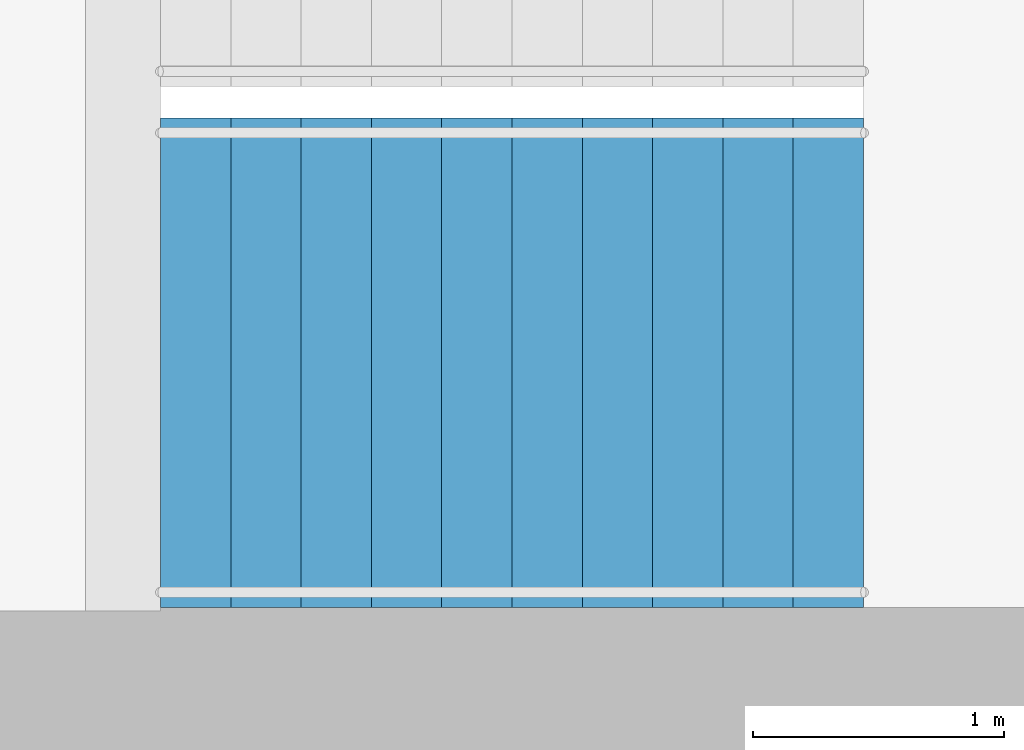
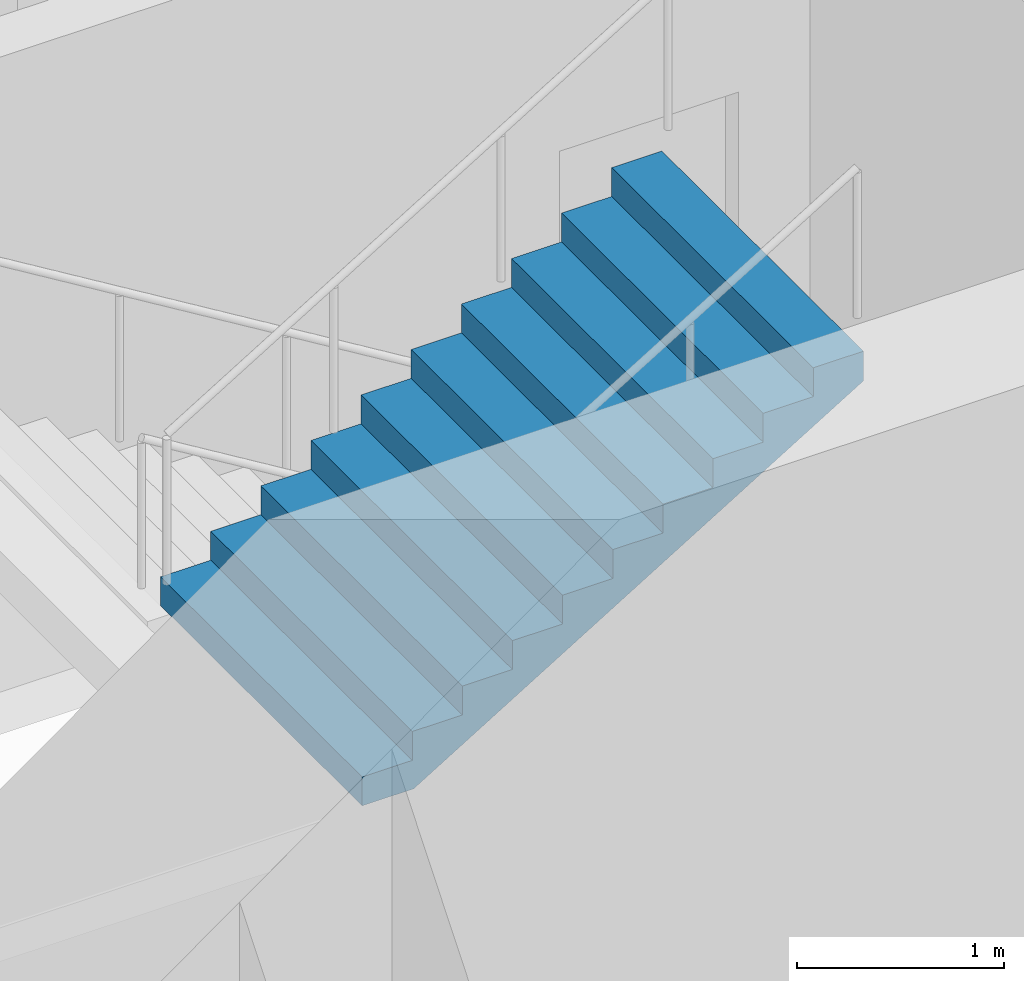
# One storey, part 20 of 22: 1 stair flight, 1 element without a shape of its own.
"""IFC4 building model written with IfcOpenShell, lengths in metres."""

from ifc_helpers import new_model, si_unit, direction, frame, origin, place, context, subcontext, project, spatial, triangles, material, type_object, element, aggregate, save


model = new_model("IFC4")

# Units and contexts
model_context = context("Model", 3, precision=1e-05, world=origin(), true_north=direction((0.0, 1.0)))
body_context = subcontext(model_context, "Body", "Model", "MODEL_VIEW")
ifc_project = project(units=[si_unit("LENGTHUNIT", "METRE"), si_unit("AREAUNIT", "SQUARE_METRE"), si_unit("VOLUMEUNIT", "CUBIC_METRE"), si_unit("PLANEANGLEUNIT", "RADIAN"), si_unit("MASSUNIT", "GRAM", prefix="KILO")], contexts=[model_context])

# Site, building, storey
site_placement = place(None, origin())
site = spatial("IfcSite", under=ifc_project, at=site_placement, CompositionType="ELEMENT")
building_placement = place(site_placement, origin())
building = spatial("IfcBuilding", under=site, at=building_placement, Name="Orbita Commons", CompositionType="ELEMENT")
storey_placement = place(building_placement, frame((0.0, 0.0, 189.85009765625)))
storey = spatial("IfcBuildingStorey", under=building, at=storey_placement, Name="L47", CompositionType="ELEMENT", Elevation=189.85009765625)

# Stair, stair flight
ifc_material_1 = material(Name="Precast concrete C40/50", Category="concrete")
stair_type = type_object("IfcStairType", Name="Exit stair S2 2 flights 11 risers 170", PredefinedType="HALF_TURN_STAIR", material=ifc_material_1)
stair_placement = place(storey_placement, origin())
stair = element("IfcStair", 1, at=stair_placement, inside=storey, type_object=stair_type, Name="Exit stair S2 L47", PredefinedType="HALF_TURN_STAIR")
ifc_material_2 = material(Name="Precast concrete C40/50", Category="concrete")
stair_flight_type = type_object("IfcStairFlightType", Name="Stair flight 11 risers 170 x 280", PredefinedType="STRAIGHT", material=ifc_material_2)
stair_flight_placement = place(storey_placement, frame((60.75, 27.199951171875, 1.875), z_axis=(0.0, 0.0, 1.0), x_axis=(1.0, 0.0, 0.0)))
stair_flight = element("IfcStairFlight", 2, at=stair_flight_placement, type_object=stair_flight_type, Name="S2 flight 2", NumberOfRisers=11, NumberOfTreads=10, PredefinedType="STRAIGHT", RiserHeight=0.170454545, TreadLength=0.28, context=body_context, shape_type="Tessellation", body=[
    triangles([(0.0, 0.974976, 0.0), (0.0, 0.974976, 0.021307), (0.0, 0.81248, 0.021307), (0.0, 0.81248, 0.0), (0.0, 0.649984, 0.021307), (0.0, 0.649984, 0.0), (0.0, 0.487488, 0.021307), (0.0, 0.487488, 0.0), (0.0, 0.324992, 0.021307), (0.0, 0.324992, 0.0), (0.0, 0.162496, 0.021307), (0.0, 0.162496, 0.0), (0.0, 0.0, 0.021307), (0.0, 0.0, 0.0), (0.0, -0.162496, 0.021307), (0.0, -0.162496, 0.0), (0.0, -0.324992, 0.021307), (0.0, -0.324992, 0.0), (0.0, -0.487488, 0.021307), (0.0, -0.487488, 0.0), (0.0, -0.649984, 0.021307), (0.0, -0.649984, 0.0), (0.0, -0.81248, 0.021307), (0.0, -0.81248, 0.0), (0.0, -0.974976, 0.021307), (0.0, -0.974976, 0.0), (0.0, 0.974976, 0.042614), (0.0, 0.81248, 0.042614), (0.0, 0.649984, 0.042614), (0.0, 0.487488, 0.042614), (0.0, 0.324992, 0.042614), (0.0, 0.162496, 0.042614), (0.0, 0.0, 0.042614), (0.0, -0.162496, 0.042614), (0.0, -0.324992, 0.042614), (0.0, -0.487488, 0.042614), (0.0, -0.649984, 0.042614), (0.0, -0.81248, 0.042614), (0.0, -0.974976, 0.042614), (0.0, 0.974976, 0.06392), (0.0, 0.81248, 0.06392), (0.0, 0.649984, 0.06392), (0.0, 0.487488, 0.06392), (0.0, 0.324992, 0.06392), (0.0, 0.162496, 0.06392), (0.0, 0.0, 0.06392), (0.0, -0.162496, 0.06392), (0.0, -0.324992, 0.06392), (0.0, -0.487488, 0.06392), (0.0, -0.649984, 0.06392), (0.0, -0.81248, 0.06392), (0.0, -0.974976, 0.06392), (0.0, 0.974976, 0.085227), (0.0, 0.81248, 0.085227), (0.0, 0.649984, 0.085227), (0.0, 0.487488, 0.085227), (0.0, 0.324992, 0.085227), (0.0, 0.162496, 0.085227), (0.0, 0.0, 0.085227), (0.0, -0.162496, 0.085227), (0.0, -0.324992, 0.085227), (0.0, -0.487488, 0.085227), (0.0, -0.649984, 0.085227), (0.0, -0.81248, 0.085227), (0.0, -0.974976, 0.085227), (0.0, 0.974976, 0.106534), (0.0, 0.81248, 0.106534), (0.0, 0.649984, 0.106534), (0.0, 0.487488, 0.106534), (0.0, 0.324992, 0.106534), (0.0, 0.162496, 0.106534), (0.0, 0.0, 0.106534), (0.0, -0.162496, 0.106534), (0.0, -0.324992, 0.106534), (0.0, -0.487488, 0.106534), (0.0, -0.649984, 0.106534), (0.0, -0.81248, 0.106534), (0.0, -0.974976, 0.106534), (0.0, 0.974976, 0.127841), (0.0, 0.81248, 0.127841), (0.0, 0.649984, 0.127841), (0.0, 0.487488, 0.127841), (0.0, 0.324992, 0.127841), (0.0, 0.162496, 0.127841), (0.0, 0.0, 0.127841), (0.0, -0.162496, 0.127841), (0.0, -0.324992, 0.127841), (0.0, -0.487488, 0.127841), (0.0, -0.649984, 0.127841), (0.0, -0.81248, 0.127841), (0.0, -0.974976, 0.127841), (0.0, 0.974976, 0.149148), (0.0, 0.81248, 0.149148), (0.0, 0.649984, 0.149148), (0.0, 0.487488, 0.149148), (0.0, 0.324992, 0.149148), (0.0, 0.162496, 0.149148), (0.0, 0.0, 0.149148), (0.0, -0.162496, 0.149148), (0.0, -0.324992, 0.149148), (0.0, -0.487488, 0.149148), (0.0, -0.649984, 0.149148), (0.0, -0.81248, 0.149148), (0.0, -0.974976, 0.149148), (0.0, 0.974976, 0.170455), (0.0, 0.81248, 0.170455), (0.0, 0.649984, 0.170455), (0.0, 0.487488, 0.170455), (0.0, 0.324992, 0.170455), (0.0, 0.162496, 0.170455), (0.0, 0.0, 0.170455), (0.0, -0.162496, 0.170455), (0.0, -0.324992, 0.170455), (0.0, -0.487488, 0.170455), (0.0, -0.649984, 0.170455), (0.0, -0.81248, 0.170455), (0.0, -0.974976, 0.170455), (0.28, 0.974976, 0.170455), (0.28, 0.81248, 0.170455), (0.28, 0.649984, 0.170455), (0.28, 0.487488, 0.170455), (0.28, 0.324992, 0.170455), (0.28, 0.162496, 0.170455), (0.28, 0.0, 0.170455), (0.28, -0.162496, 0.170455), (0.28, -0.324992, 0.170455), (0.28, -0.487488, 0.170455), (0.28, -0.649984, 0.170455), (0.28, -0.81248, 0.170455), (0.28, -0.974976, 0.170455), (0.28, 0.974976, 0.340909), (0.28, 0.81248, 0.340909), (0.28, 0.649984, 0.340909), (0.28, 0.487488, 0.340909), (0.28, 0.324992, 0.340909), (0.28, 0.162496, 0.340909), (0.28, 0.0, 0.340909), (0.28, -0.162496, 0.340909), (0.28, -0.324992, 0.340909), (0.28, -0.487488, 0.340909), (0.28, -0.649984, 0.340909), (0.28, -0.81248, 0.340909), (0.28, -0.974976, 0.340909), (0.56, 0.974976, 0.340909), (0.56, 0.81248, 0.340909), (0.56, 0.649984, 0.340909), (0.56, 0.487488, 0.340909), (0.56, 0.324992, 0.340909), (0.56, 0.162496, 0.340909), (0.56, 0.0, 0.340909), (0.56, -0.162496, 0.340909), (0.56, -0.324992, 0.340909), (0.56, -0.487488, 0.340909), (0.56, -0.649984, 0.340909), (0.56, -0.81248, 0.340909), (0.56, -0.974976, 0.340909), (0.56, 0.974976, 0.511364), (0.56, 0.81248, 0.511364), (0.56, 0.649984, 0.511364), (0.56, 0.487488, 0.511364), (0.56, 0.324992, 0.511364), (0.56, 0.162496, 0.511364), (0.56, 0.0, 0.511364), (0.56, -0.162496, 0.511364), (0.56, -0.324992, 0.511364), (0.56, -0.487488, 0.511364), (0.56, -0.649984, 0.511364), (0.56, -0.81248, 0.511364), (0.56, -0.974976, 0.511364), (0.84, 0.974976, 0.511364), (0.84, 0.81248, 0.511364), (0.84, 0.649984, 0.511364), (0.84, 0.487488, 0.511364), (0.84, 0.324992, 0.511364), (0.84, 0.162496, 0.511364), (0.84, 0.0, 0.511364), (0.84, -0.162496, 0.511364), (0.84, -0.324992, 0.511364), (0.84, -0.487488, 0.511364), (0.84, -0.649984, 0.511364), (0.84, -0.81248, 0.511364), (0.84, -0.974976, 0.511364), (0.84, 0.974976, 0.681818), (0.84, 0.81248, 0.681818), (0.84, 0.649984, 0.681818), (0.84, 0.487488, 0.681818), (0.84, 0.324992, 0.681818), (0.84, 0.162496, 0.681818), (0.84, 0.0, 0.681818), (0.84, -0.162496, 0.681818), (0.84, -0.324992, 0.681818), (0.84, -0.487488, 0.681818), (0.84, -0.649984, 0.681818), (0.84, -0.81248, 0.681818), (0.84, -0.974976, 0.681818), (1.12, 0.974976, 0.681818), (1.12, 0.81248, 0.681818), (1.12, 0.649984, 0.681818), (1.12, 0.487488, 0.681818), (1.12, 0.324992, 0.681818), (1.12, 0.162496, 0.681818), (1.12, 0.0, 0.681818), (1.12, -0.162496, 0.681818), (1.12, -0.324992, 0.681818), (1.12, -0.487488, 0.681818), (1.12, -0.649984, 0.681818), (1.12, -0.81248, 0.681818), (1.12, -0.974976, 0.681818), (1.12, 0.974976, 0.852273), (1.12, 0.81248, 0.852273), (1.12, 0.649984, 0.852273), (1.12, 0.487488, 0.852273), (1.12, 0.324992, 0.852273), (1.12, 0.162496, 0.852273), (1.12, 0.0, 0.852273), (1.12, -0.162496, 0.852273), (1.12, -0.324992, 0.852273), (1.12, -0.487488, 0.852273), (1.12, -0.649984, 0.852273), (1.12, -0.81248, 0.852273), (1.12, -0.974976, 0.852273), (1.4, 0.974976, 0.852273), (1.4, 0.81248, 0.852273), (1.4, 0.649984, 0.852273), (1.4, 0.487488, 0.852273), (1.4, 0.324992, 0.852273), (1.4, 0.162496, 0.852273), (1.4, 0.0, 0.852273), (1.4, -0.162496, 0.852273), (1.4, -0.324992, 0.852273), (1.4, -0.487488, 0.852273), (1.4, -0.649984, 0.852273), (1.4, -0.81248, 0.852273), (1.4, -0.974976, 0.852273), (1.4, 0.974976, 1.022727), (1.4, 0.81248, 1.022727), (1.4, 0.649984, 1.022727), (1.4, 0.487488, 1.022727), (1.4, 0.324992, 1.022727), (1.4, 0.162496, 1.022727), (1.4, 0.0, 1.022727), (1.4, -0.162496, 1.022727), (1.4, -0.324992, 1.022727), (1.4, -0.487488, 1.022727), (1.4, -0.649984, 1.022727), (1.4, -0.81248, 1.022727), (1.4, -0.974976, 1.022727), (1.68, 0.974976, 1.022727), (1.68, 0.81248, 1.022727), (1.68, 0.649984, 1.022727), (1.68, 0.487488, 1.022727), (1.68, 0.324992, 1.022727), (1.68, 0.162496, 1.022727), (1.68, 0.0, 1.022727), (1.68, -0.162496, 1.022727), (1.68, -0.324992, 1.022727), (1.68, -0.487488, 1.022727), (1.68, -0.649984, 1.022727), (1.68, -0.81248, 1.022727), (1.68, -0.974976, 1.022727), (1.68, 0.974976, 1.193182), (1.68, 0.81248, 1.193182), (1.68, 0.649984, 1.193182), (1.68, 0.487488, 1.193182), (1.68, 0.324992, 1.193182), (1.68, 0.162496, 1.193182), (1.68, 0.0, 1.193182), (1.68, -0.162496, 1.193182), (1.68, -0.324992, 1.193182), (1.68, -0.487488, 1.193182), (1.68, -0.649984, 1.193182), (1.68, -0.81248, 1.193182), (1.68, -0.974976, 1.193182), (1.96, 0.974976, 1.193182), (1.96, 0.81248, 1.193182), (1.96, 0.649984, 1.193182), (1.96, 0.487488, 1.193182), (1.96, 0.324992, 1.193182), (1.96, 0.162496, 1.193182), (1.96, 0.0, 1.193182), (1.96, -0.162496, 1.193182), (1.96, -0.324992, 1.193182), (1.96, -0.487488, 1.193182), (1.96, -0.649984, 1.193182), (1.96, -0.81248, 1.193182), (1.96, -0.974976, 1.193182), (1.96, 0.974976, 1.363636), (1.96, 0.81248, 1.363636), (1.96, 0.649984, 1.363636), (1.96, 0.487488, 1.363636), (1.96, 0.324992, 1.363636), (1.96, 0.162496, 1.363636), (1.96, 0.0, 1.363636), (1.96, -0.162496, 1.363636), (1.96, -0.324992, 1.363636), (1.96, -0.487488, 1.363636), (1.96, -0.649984, 1.363636), (1.96, -0.81248, 1.363636), (1.96, -0.974976, 1.363636), (2.24, 0.974976, 1.363636), (2.24, 0.81248, 1.363636), (2.24, 0.649984, 1.363636), (2.24, 0.487488, 1.363636), (2.24, 0.324992, 1.363636), (2.24, 0.162496, 1.363636), (2.24, 0.0, 1.363636), (2.24, -0.162496, 1.363636), (2.24, -0.324992, 1.363636), (2.24, -0.487488, 1.363636), (2.24, -0.649984, 1.363636), (2.24, -0.81248, 1.363636), (2.24, -0.974976, 1.363636), (2.24, 0.974976, 1.534091), (2.24, 0.81248, 1.534091), (2.24, 0.649984, 1.534091), (2.24, 0.487488, 1.534091), (2.24, 0.324992, 1.534091), (2.24, 0.162496, 1.534091), (2.24, 0.0, 1.534091), (2.24, -0.162496, 1.534091), (2.24, -0.324992, 1.534091), (2.24, -0.487488, 1.534091), (2.24, -0.649984, 1.534091), (2.24, -0.81248, 1.534091), (2.24, -0.974976, 1.534091), (2.52, 0.974976, 1.534091), (2.52, 0.81248, 1.534091), (2.52, 0.649984, 1.534091), (2.52, 0.487488, 1.534091), (2.52, 0.324992, 1.534091), (2.52, 0.162496, 1.534091), (2.52, 0.0, 1.534091), (2.52, -0.162496, 1.534091), (2.52, -0.324992, 1.534091), (2.52, -0.487488, 1.534091), (2.52, -0.649984, 1.534091), (2.52, -0.81248, 1.534091), (2.52, -0.974976, 1.534091), (2.52, 0.974976, 1.704545), (2.52, 0.81248, 1.704545), (2.52, 0.649984, 1.704545), (2.52, 0.487488, 1.704545), (2.52, 0.324992, 1.704545), (2.52, 0.162496, 1.704545), (2.52, 0.0, 1.704545), (2.52, -0.162496, 1.704545), (2.52, -0.324992, 1.704545), (2.52, -0.487488, 1.704545), (2.52, -0.649984, 1.704545), (2.52, -0.81248, 1.704545), (2.52, -0.974976, 1.704545), (2.8, 0.974976, 1.704545), (2.8, 0.81248, 1.704545), (2.8, 0.649984, 1.704545), (2.8, 0.487488, 1.704545), (2.8, 0.324992, 1.704545), (2.8, 0.162496, 1.704545), (2.8, 0.0, 1.704545), (2.8, -0.162496, 1.704545), (2.8, -0.324992, 1.704545), (2.8, -0.487488, 1.704545), (2.8, -0.649984, 1.704545), (2.8, -0.81248, 1.704545), (2.8, -0.974976, 1.704545), (2.8, 0.974976, 1.682609), (2.8, 0.81248, 1.682609), (2.8, 0.649984, 1.682609), (2.8, 0.487488, 1.682609), (2.8, 0.324992, 1.682609), (2.8, 0.162496, 1.682609), (2.8, 0.0, 1.682609), (2.8, -0.162496, 1.682609), (2.8, -0.324992, 1.682609), (2.8, -0.487488, 1.682609), (2.8, -0.649984, 1.682609), (2.8, -0.81248, 1.682609), (2.8, -0.974976, 1.682609), (2.8, 0.974976, 1.660672), (2.8, 0.81248, 1.660672), (2.8, 0.649984, 1.660672), (2.8, 0.487488, 1.660672), (2.8, 0.324992, 1.660672), (2.8, 0.162496, 1.660672), (2.8, 0.0, 1.660672), (2.8, -0.162496, 1.660672), (2.8, -0.324992, 1.660672), (2.8, -0.487488, 1.660672), (2.8, -0.649984, 1.660672), (2.8, -0.81248, 1.660672), (2.8, -0.974976, 1.660672), (2.8, 0.974976, 1.638735), (2.8, 0.81248, 1.638735), (2.8, 0.649984, 1.638735), (2.8, 0.487488, 1.638735), (2.8, 0.324992, 1.638735), (2.8, 0.162496, 1.638735), (2.8, 0.0, 1.638735), (2.8, -0.162496, 1.638735), (2.8, -0.324992, 1.638735), (2.8, -0.487488, 1.638735), (2.8, -0.649984, 1.638735), (2.8, -0.81248, 1.638735), (2.8, -0.974976, 1.638735), (2.8, 0.974976, 1.616798), (2.8, 0.81248, 1.616798), (2.8, 0.649984, 1.616798), (2.8, 0.487488, 1.616798), (2.8, 0.324992, 1.616798), (2.8, 0.162496, 1.616798), (2.8, 0.0, 1.616798), (2.8, -0.162496, 1.616798), (2.8, -0.324992, 1.616798), (2.8, -0.487488, 1.616798), (2.8, -0.649984, 1.616798), (2.8, -0.81248, 1.616798), (2.8, -0.974976, 1.616798), (2.8, 0.974976, 1.594861), (2.8, 0.81248, 1.594861), (2.8, 0.649984, 1.594861), (2.8, 0.487488, 1.594861), (2.8, 0.324992, 1.594861), (2.8, 0.162496, 1.594861), (2.8, 0.0, 1.594861), (2.8, -0.162496, 1.594861), (2.8, -0.324992, 1.594861), (2.8, -0.487488, 1.594861), (2.8, -0.649984, 1.594861), (2.8, -0.81248, 1.594861), (2.8, -0.974976, 1.594861), (2.8, 0.974976, 1.572925), (2.8, 0.81248, 1.572925), (2.8, 0.649984, 1.572925), (2.8, 0.487488, 1.572925), (2.8, 0.324992, 1.572925), (2.8, 0.162496, 1.572925), (2.8, 0.0, 1.572925), (2.8, -0.162496, 1.572925), (2.8, -0.324992, 1.572925), (2.8, -0.487488, 1.572925), (2.8, -0.649984, 1.572925), (2.8, -0.81248, 1.572925), (2.8, -0.974976, 1.572925), (2.8, 0.974976, 1.550988), (2.8, 0.81248, 1.550988), (2.8, 0.649984, 1.550988), (2.8, 0.487488, 1.550988), (2.8, 0.324992, 1.550988), (2.8, 0.162496, 1.550988), (2.8, 0.0, 1.550988), (2.8, -0.162496, 1.550988), (2.8, -0.324992, 1.550988), (2.8, -0.487488, 1.550988), (2.8, -0.649984, 1.550988), (2.8, -0.81248, 1.550988), (2.8, -0.974976, 1.550988), (2.8, 0.974976, 1.529051), (2.8, 0.81248, 1.529051), (2.8, 0.649984, 1.529051), (2.8, 0.487488, 1.529051), (2.8, 0.324992, 1.529051), (2.8, 0.162496, 1.529051), (2.8, 0.0, 1.529051), (2.8, -0.162496, 1.529051), (2.8, -0.324992, 1.529051), (2.8, -0.487488, 1.529051), (2.8, -0.649984, 1.529051), (2.8, -0.81248, 1.529051), (2.8, -0.974976, 1.529051), (0.288279, 0.974976, 0.0), (0.288279, 0.81248, 0.0), (0.288279, 0.649984, 0.0), (0.288279, 0.487488, 0.0), (0.288279, 0.324992, 0.0), (0.288279, 0.162496, 0.0), (0.288279, 0.0, 0.0), (0.288279, -0.162496, 0.0), (0.288279, -0.324992, 0.0), (0.288279, -0.487488, 0.0), (0.288279, -0.649984, 0.0), (0.288279, -0.81248, 0.0), (0.288279, -0.974976, 0.0)], [[3, 2, 1], [4, 3, 1], [5, 3, 4], [6, 5, 4], [7, 5, 6], [8, 7, 6], [9, 7, 8], [10, 9, 8], [11, 9, 10], [12, 11, 10], [13, 11, 12], [14, 13, 12], [15, 13, 14], [16, 15, 14], [17, 15, 16], [18, 17, 16], [19, 17, 18], [20, 19, 18], [21, 19, 20], [22, 21, 20], [23, 21, 22], [24, 23, 22], [25, 23, 24], [26, 25, 24], [28, 27, 2], [3, 28, 2], [29, 28, 3], [5, 29, 3], [30, 29, 5], [7, 30, 5], [31, 30, 7], [9, 31, 7], [32, 31, 9], [11, 32, 9], [33, 32, 11], [13, 33, 11], [34, 33, 13], [15, 34, 13], [35, 34, 15], [17, 35, 15], [36, 35, 17], [19, 36, 17], [37, 36, 19], [21, 37, 19], [38, 37, 21], [23, 38, 21], [39, 38, 23], [25, 39, 23], [41, 40, 27], [28, 41, 27], [42, 41, 28], [29, 42, 28], [43, 42, 29], [30, 43, 29], [44, 43, 30], [31, 44, 30], [45, 44, 31], [32, 45, 31], [46, 45, 32], [33, 46, 32], [47, 46, 33], [34, 47, 33], [48, 47, 34], [35, 48, 34], [49, 48, 35], [36, 49, 35], [50, 49, 36], [37, 50, 36], [51, 50, 37], [38, 51, 37], [52, 51, 38], [39, 52, 38], [54, 53, 40], [41, 54, 40], [55, 54, 41], [42, 55, 41], [56, 55, 42], [43, 56, 42], [57, 56, 43], [44, 57, 43], [58, 57, 44], [45, 58, 44], [59, 58, 45], [46, 59, 45], [60, 59, 46], [47, 60, 46], [61, 60, 47], [48, 61, 47], [62, 61, 48], [49, 62, 48], [63, 62, 49], [50, 63, 49], [64, 63, 50], [51, 64, 50], [65, 64, 51], [52, 65, 51], [67, 66, 53], [54, 67, 53], [68, 67, 54], [55, 68, 54], [69, 68, 55], [56, 69, 55], [70, 69, 56], [57, 70, 56], [71, 70, 57], [58, 71, 57], [72, 71, 58], [59, 72, 58], [73, 72, 59], [60, 73, 59], [74, 73, 60], [61, 74, 60], [75, 74, 61], [62, 75, 61], [76, 75, 62], [63, 76, 62], [77, 76, 63], [64, 77, 63], [78, 77, 64], [65, 78, 64], [80, 79, 66], [67, 80, 66], [81, 80, 67], [68, 81, 67], [82, 81, 68], [69, 82, 68], [83, 82, 69], [70, 83, 69], [84, 83, 70], [71, 84, 70], [85, 84, 71], [72, 85, 71], [86, 85, 72], [73, 86, 72], [87, 86, 73], [74, 87, 73], [88, 87, 74], [75, 88, 74], [89, 88, 75], [76, 89, 75], [90, 89, 76], [77, 90, 76], [91, 90, 77], [78, 91, 77], [93, 92, 79], [80, 93, 79], [94, 93, 80], [81, 94, 80], [95, 94, 81], [82, 95, 81], [96, 95, 82], [83, 96, 82], [97, 96, 83], [84, 97, 83], [98, 97, 84], [85, 98, 84], [99, 98, 85], [86, 99, 85], [100, 99, 86], [87, 100, 86], [101, 100, 87], [88, 101, 87], [102, 101, 88], [89, 102, 88], [103, 102, 89], [90, 103, 89], [104, 103, 90], [91, 104, 90], [106, 105, 92], [93, 106, 92], [107, 106, 93], [94, 107, 93], [108, 107, 94], [95, 108, 94], [109, 108, 95], [96, 109, 95], [110, 109, 96], [97, 110, 96], [111, 110, 97], [98, 111, 97], [112, 111, 98], [99, 112, 98], [113, 112, 99], [100, 113, 99], [114, 113, 100], [101, 114, 100], [115, 114, 101], [102, 115, 101], [116, 115, 102], [103, 116, 102], [117, 116, 103], [104, 117, 103], [119, 118, 105], [106, 119, 105], [120, 119, 106], [107, 120, 106], [121, 120, 107], [108, 121, 107], [122, 121, 108], [109, 122, 108], [123, 122, 109], [110, 123, 109], [124, 123, 110], [111, 124, 110], [125, 124, 111], [112, 125, 111], [126, 125, 112], [113, 126, 112], [127, 126, 113], [114, 127, 113], [128, 127, 114], [115, 128, 114], [129, 128, 115], [116, 129, 115], [130, 129, 116], [117, 130, 116], [132, 131, 118], [119, 132, 118], [133, 132, 119], [120, 133, 119], [134, 133, 120], [121, 134, 120], [135, 134, 121], [122, 135, 121], [136, 135, 122], [123, 136, 122], [137, 136, 123], [124, 137, 123], [138, 137, 124], [125, 138, 124], [139, 138, 125], [126, 139, 125], [140, 139, 126], [127, 140, 126], [141, 140, 127], [128, 141, 127], [142, 141, 128], [129, 142, 128], [143, 142, 129], [130, 143, 129], [145, 144, 131], [132, 145, 131], [146, 145, 132], [133, 146, 132], [147, 146, 133], [134, 147, 133], [148, 147, 134], [135, 148, 134], [149, 148, 135], [136, 149, 135], [150, 149, 136], [137, 150, 136], [151, 150, 137], [138, 151, 137], [152, 151, 138], [139, 152, 138], [153, 152, 139], [140, 153, 139], [154, 153, 140], [141, 154, 140], [155, 154, 141], [142, 155, 141], [156, 155, 142], [143, 156, 142], [158, 157, 144], [145, 158, 144], [159, 158, 145], [146, 159, 145], [160, 159, 146], [147, 160, 146], [161, 160, 147], [148, 161, 147], [162, 161, 148], [149, 162, 148], [163, 162, 149], [150, 163, 149], [164, 163, 150], [151, 164, 150], [165, 164, 151], [152, 165, 151], [166, 165, 152], [153, 166, 152], [167, 166, 153], [154, 167, 153], [168, 167, 154], [155, 168, 154], [169, 168, 155], [156, 169, 155], [171, 170, 157], [158, 171, 157], [172, 171, 158], [159, 172, 158], [173, 172, 159], [160, 173, 159], [174, 173, 160], [161, 174, 160], [175, 174, 161], [162, 175, 161], [176, 175, 162], [163, 176, 162], [177, 176, 163], [164, 177, 163], [178, 177, 164], [165, 178, 164], [179, 178, 165], [166, 179, 165], [180, 179, 166], [167, 180, 166], [181, 180, 167], [168, 181, 167], [182, 181, 168], [169, 182, 168], [184, 183, 170], [171, 184, 170], [185, 184, 171], [172, 185, 171], [186, 185, 172], [173, 186, 172], [187, 186, 173], [174, 187, 173], [188, 187, 174], [175, 188, 174], [189, 188, 175], [176, 189, 175], [190, 189, 176], [177, 190, 176], [191, 190, 177], [178, 191, 177], [192, 191, 178], [179, 192, 178], [193, 192, 179], [180, 193, 179], [194, 193, 180], [181, 194, 180], [195, 194, 181], [182, 195, 181], [197, 196, 183], [184, 197, 183], [198, 197, 184], [185, 198, 184], [199, 198, 185], [186, 199, 185], [200, 199, 186], [187, 200, 186], [201, 200, 187], [188, 201, 187], [202, 201, 188], [189, 202, 188], [203, 202, 189], [190, 203, 189], [204, 203, 190], [191, 204, 190], [205, 204, 191], [192, 205, 191], [206, 205, 192], [193, 206, 192], [207, 206, 193], [194, 207, 193], [208, 207, 194], [195, 208, 194], [210, 209, 196], [197, 210, 196], [211, 210, 197], [198, 211, 197], [212, 211, 198], [199, 212, 198], [213, 212, 199], [200, 213, 199], [214, 213, 200], [201, 214, 200], [215, 214, 201], [202, 215, 201], [216, 215, 202], [203, 216, 202], [217, 216, 203], [204, 217, 203], [218, 217, 204], [205, 218, 204], [219, 218, 205], [206, 219, 205], [220, 219, 206], [207, 220, 206], [221, 220, 207], [208, 221, 207], [223, 222, 209], [210, 223, 209], [224, 223, 210], [211, 224, 210], [225, 224, 211], [212, 225, 211], [226, 225, 212], [213, 226, 212], [227, 226, 213], [214, 227, 213], [228, 227, 214], [215, 228, 214], [229, 228, 215], [216, 229, 215], [230, 229, 216], [217, 230, 216], [231, 230, 217], [218, 231, 217], [232, 231, 218], [219, 232, 218], [233, 232, 219], [220, 233, 219], [234, 233, 220], [221, 234, 220], [236, 235, 222], [223, 236, 222], [237, 236, 223], [224, 237, 223], [238, 237, 224], [225, 238, 224], [239, 238, 225], [226, 239, 225], [240, 239, 226], [227, 240, 226], [241, 240, 227], [228, 241, 227], [242, 241, 228], [229, 242, 228], [243, 242, 229], [230, 243, 229], [244, 243, 230], [231, 244, 230], [245, 244, 231], [232, 245, 231], [246, 245, 232], [233, 246, 232], [247, 246, 233], [234, 247, 233], [249, 248, 235], [236, 249, 235], [250, 249, 236], [237, 250, 236], [251, 250, 237], [238, 251, 237], [252, 251, 238], [239, 252, 238], [253, 252, 239], [240, 253, 239], [254, 253, 240], [241, 254, 240], [255, 254, 241], [242, 255, 241], [256, 255, 242], [243, 256, 242], [257, 256, 243], [244, 257, 243], [258, 257, 244], [245, 258, 244], [259, 258, 245], [246, 259, 245], [260, 259, 246], [247, 260, 246], [262, 261, 248], [249, 262, 248], [263, 262, 249], [250, 263, 249], [264, 263, 250], [251, 264, 250], [265, 264, 251], [252, 265, 251], [266, 265, 252], [253, 266, 252], [267, 266, 253], [254, 267, 253], [268, 267, 254], [255, 268, 254], [269, 268, 255], [256, 269, 255], [270, 269, 256], [257, 270, 256], [271, 270, 257], [258, 271, 257], [272, 271, 258], [259, 272, 258], [273, 272, 259], [260, 273, 259], [275, 274, 261], [262, 275, 261], [276, 275, 262], [263, 276, 262], [277, 276, 263], [264, 277, 263], [278, 277, 264], [265, 278, 264], [279, 278, 265], [266, 279, 265], [280, 279, 266], [267, 280, 266], [281, 280, 267], [268, 281, 267], [282, 281, 268], [269, 282, 268], [283, 282, 269], [270, 283, 269], [284, 283, 270], [271, 284, 270], [285, 284, 271], [272, 285, 271], [286, 285, 272], [273, 286, 272], [288, 287, 274], [275, 288, 274], [289, 288, 275], [276, 289, 275], [290, 289, 276], [277, 290, 276], [291, 290, 277], [278, 291, 277], [292, 291, 278], [279, 292, 278], [293, 292, 279], [280, 293, 279], [294, 293, 280], [281, 294, 280], [295, 294, 281], [282, 295, 281], [296, 295, 282], [283, 296, 282], [297, 296, 283], [284, 297, 283], [298, 297, 284], [285, 298, 284], [299, 298, 285], [286, 299, 285], [301, 300, 287], [288, 301, 287], [302, 301, 288], [289, 302, 288], [303, 302, 289], [290, 303, 289], [304, 303, 290], [291, 304, 290], [305, 304, 291], [292, 305, 291], [306, 305, 292], [293, 306, 292], [307, 306, 293], [294, 307, 293], [308, 307, 294], [295, 308, 294], [309, 308, 295], [296, 309, 295], [310, 309, 296], [297, 310, 296], [311, 310, 297], [298, 311, 297], [312, 311, 298], [299, 312, 298], [314, 313, 300], [301, 314, 300], [315, 314, 301], [302, 315, 301], [316, 315, 302], [303, 316, 302], [317, 316, 303], [304, 317, 303], [318, 317, 304], [305, 318, 304], [319, 318, 305], [306, 319, 305], [320, 319, 306], [307, 320, 306], [321, 320, 307], [308, 321, 307], [322, 321, 308], [309, 322, 308], [323, 322, 309], [310, 323, 309], [324, 323, 310], [311, 324, 310], [325, 324, 311], [312, 325, 311], [327, 326, 313], [314, 327, 313], [328, 327, 314], [315, 328, 314], [329, 328, 315], [316, 329, 315], [330, 329, 316], [317, 330, 316], [331, 330, 317], [318, 331, 317], [332, 331, 318], [319, 332, 318], [333, 332, 319], [320, 333, 319], [334, 333, 320], [321, 334, 320], [335, 334, 321], [322, 335, 321], [336, 335, 322], [323, 336, 322], [337, 336, 323], [324, 337, 323], [338, 337, 324], [325, 338, 324], [340, 339, 326], [327, 340, 326], [341, 340, 327], [328, 341, 327], [342, 341, 328], [329, 342, 328], [343, 342, 329], [330, 343, 329], [344, 343, 330], [331, 344, 330], [345, 344, 331], [332, 345, 331], [346, 345, 332], [333, 346, 332], [347, 346, 333], [334, 347, 333], [348, 347, 334], [335, 348, 334], [349, 348, 335], [336, 349, 335], [350, 349, 336], [337, 350, 336], [351, 350, 337], [338, 351, 337], [353, 352, 339], [340, 353, 339], [354, 353, 340], [341, 354, 340], [355, 354, 341], [342, 355, 341], [356, 355, 342], [343, 356, 342], [357, 356, 343], [344, 357, 343], [358, 357, 344], [345, 358, 344], [359, 358, 345], [346, 359, 345], [360, 359, 346], [347, 360, 346], [361, 360, 347], [348, 361, 347], [362, 361, 348], [349, 362, 348], [363, 362, 349], [350, 363, 349], [364, 363, 350], [351, 364, 350], [366, 365, 352], [353, 366, 352], [367, 366, 353], [354, 367, 353], [368, 367, 354], [355, 368, 354], [369, 368, 355], [356, 369, 355], [370, 369, 356], [357, 370, 356], [371, 370, 357], [358, 371, 357], [372, 371, 358], [359, 372, 358], [373, 372, 359], [360, 373, 359], [374, 373, 360], [361, 374, 360], [375, 374, 361], [362, 375, 361], [376, 375, 362], [363, 376, 362], [377, 376, 363], [364, 377, 363], [379, 378, 365], [366, 379, 365], [380, 379, 366], [367, 380, 366], [381, 380, 367], [368, 381, 367], [382, 381, 368], [369, 382, 368], [383, 382, 369], [370, 383, 369], [384, 383, 370], [371, 384, 370], [385, 384, 371], [372, 385, 371], [386, 385, 372], [373, 386, 372], [387, 386, 373], [374, 387, 373], [388, 387, 374], [375, 388, 374], [389, 388, 375], [376, 389, 375], [390, 389, 376], [377, 390, 376], [392, 391, 378], [379, 392, 378], [393, 392, 379], [380, 393, 379], [394, 393, 380], [381, 394, 380], [395, 394, 381], [382, 395, 381], [396, 395, 382], [383, 396, 382], [397, 396, 383], [384, 397, 383], [398, 397, 384], [385, 398, 384], [399, 398, 385], [386, 399, 385], [400, 399, 386], [387, 400, 386], [401, 400, 387], [388, 401, 387], [402, 401, 388], [389, 402, 388], [403, 402, 389], [390, 403, 389], [405, 404, 391], [392, 405, 391], [406, 405, 392], [393, 406, 392], [407, 406, 393], [394, 407, 393], [408, 407, 394], [395, 408, 394], [409, 408, 395], [396, 409, 395], [410, 409, 396], [397, 410, 396], [411, 410, 397], [398, 411, 397], [412, 411, 398], [399, 412, 398], [413, 412, 399], [400, 413, 399], [414, 413, 400], [401, 414, 400], [415, 414, 401], [402, 415, 401], [416, 415, 402], [403, 416, 402], [418, 417, 404], [405, 418, 404], [419, 418, 405], [406, 419, 405], [420, 419, 406], [407, 420, 406], [421, 420, 407], [408, 421, 407], [422, 421, 408], [409, 422, 408], [423, 422, 409], [410, 423, 409], [424, 423, 410], [411, 424, 410], [425, 424, 411], [412, 425, 411], [426, 425, 412], [413, 426, 412], [427, 426, 413], [414, 427, 413], [428, 427, 414], [415, 428, 414], [429, 428, 415], [416, 429, 415], [431, 430, 417], [418, 431, 417], [432, 431, 418], [419, 432, 418], [433, 432, 419], [420, 433, 419], [434, 433, 420], [421, 434, 420], [435, 434, 421], [422, 435, 421], [436, 435, 422], [423, 436, 422], [437, 436, 423], [424, 437, 423], [438, 437, 424], [425, 438, 424], [439, 438, 425], [426, 439, 425], [440, 439, 426], [427, 440, 426], [441, 440, 427], [428, 441, 427], [442, 441, 428], [429, 442, 428], [444, 443, 430], [431, 444, 430], [445, 444, 431], [432, 445, 431], [446, 445, 432], [433, 446, 432], [447, 446, 433], [434, 447, 433], [448, 447, 434], [435, 448, 434], [449, 448, 435], [436, 449, 435], [450, 449, 436], [437, 450, 436], [451, 450, 437], [438, 451, 437], [452, 451, 438], [439, 452, 438], [453, 452, 439], [440, 453, 439], [454, 453, 440], [441, 454, 440], [455, 454, 441], [442, 455, 441], [457, 456, 443], [444, 457, 443], [458, 457, 444], [445, 458, 444], [459, 458, 445], [446, 459, 445], [460, 459, 446], [447, 460, 446], [461, 460, 447], [448, 461, 447], [462, 461, 448], [449, 462, 448], [463, 462, 449], [450, 463, 449], [464, 463, 450], [451, 464, 450], [465, 464, 451], [452, 465, 451], [466, 465, 452], [453, 466, 452], [467, 466, 453], [454, 467, 453], [468, 467, 454], [455, 468, 454], [470, 469, 456], [457, 470, 456], [471, 470, 457], [458, 471, 457], [472, 471, 458], [459, 472, 458], [473, 472, 459], [460, 473, 459], [474, 473, 460], [461, 474, 460], [475, 474, 461], [462, 475, 461], [476, 475, 462], [463, 476, 462], [477, 476, 463], [464, 477, 463], [478, 477, 464], [465, 478, 464], [479, 478, 465], [466, 479, 465], [480, 479, 466], [467, 480, 466], [481, 480, 467], [468, 481, 467], [4, 1, 469], [470, 4, 469], [6, 4, 470], [471, 6, 470], [8, 6, 471], [472, 8, 471], [10, 8, 472], [473, 10, 472], [12, 10, 473], [474, 12, 473], [14, 12, 474], [475, 14, 474], [16, 14, 475], [476, 16, 475], [18, 16, 476], [477, 18, 476], [20, 18, 477], [478, 20, 477], [22, 20, 478], [479, 22, 478], [24, 22, 479], [480, 24, 479], [26, 24, 480], [481, 26, 480], [456, 469, 1], [26, 481, 468], [443, 456, 1], [26, 468, 455], [430, 443, 1], [26, 455, 442], [417, 430, 1], [26, 442, 429], [404, 417, 1], [26, 429, 416], [391, 404, 1], [26, 416, 403], [378, 391, 1], [26, 403, 390], [365, 378, 1], [26, 390, 377], [339, 352, 365], [377, 364, 351], [326, 339, 365], [377, 351, 338], [300, 313, 326], [338, 325, 312], [300, 326, 365], [377, 338, 312], [274, 287, 300], [312, 299, 286], [274, 300, 365], [377, 312, 286], [248, 261, 274], [286, 273, 260], [248, 274, 365], [377, 286, 260], [222, 235, 248], [260, 247, 234], [222, 248, 365], [377, 260, 234], [196, 209, 222], [234, 221, 208], [196, 222, 365], [377, 234, 208], [170, 183, 196], [208, 195, 182], [170, 196, 365], [377, 208, 182], [144, 157, 170], [182, 169, 156], [144, 170, 365], [377, 182, 156], [118, 131, 144], [156, 143, 130], [118, 144, 365], [377, 156, 130], [118, 365, 1], [26, 377, 130], [92, 105, 118], [130, 117, 104], [79, 92, 118], [130, 104, 91], [66, 79, 118], [130, 91, 78], [53, 66, 118], [130, 78, 65], [40, 53, 118], [130, 65, 52], [27, 40, 118], [130, 52, 39], [2, 27, 118], [130, 39, 25], [1, 2, 118], [130, 25, 26]], closed=True),
])
aggregate(stair, [stair_flight])

save(model, "model.ifc")
